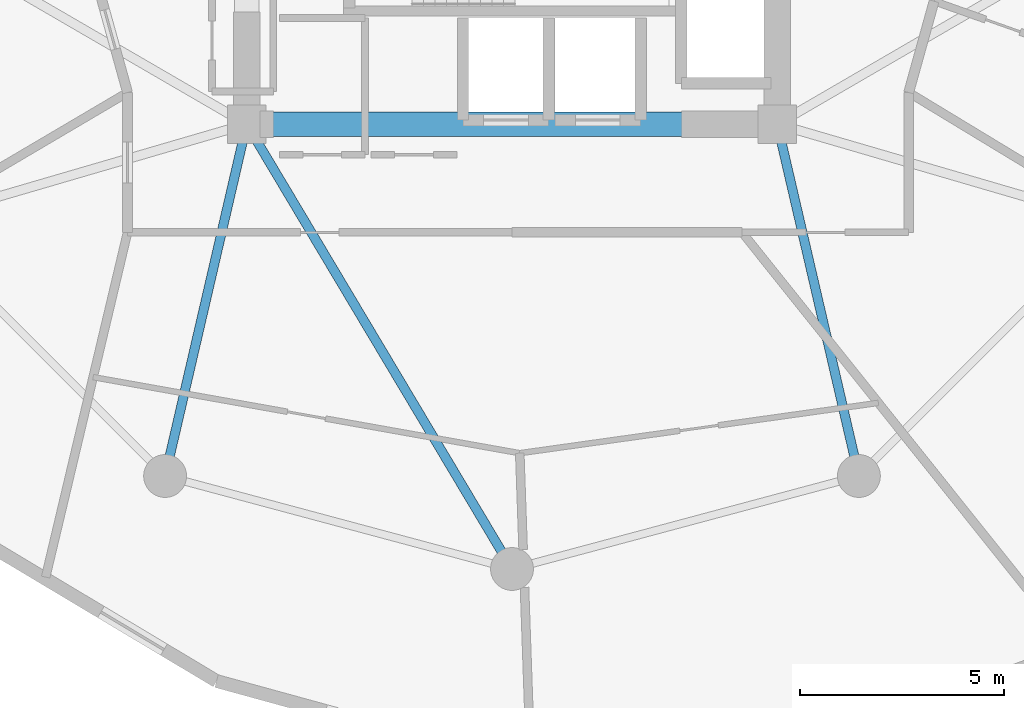
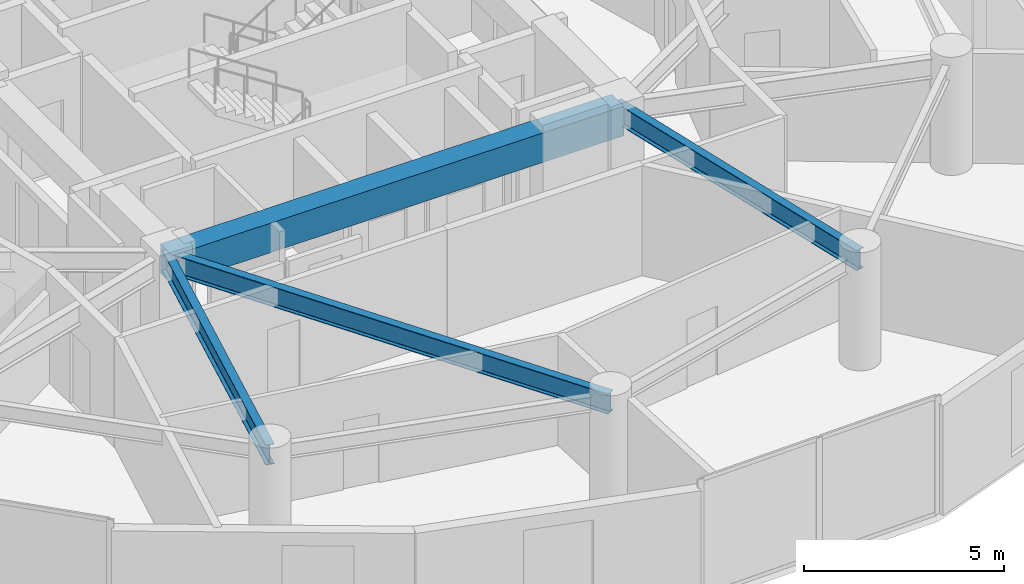
# One storey, part 5 of 25: 4 beams.
"""IFC4 building model written with IfcOpenShell, lengths in metres."""

import ifcopenshell
import ifcopenshell.guid

model = None  # the IFC model being written
_history = None  # IfcOwnerHistory: only IFC2X3 demands one
_inside = {}  # id of a spatial element -> (the spatial element, [elements in it])
_under = {}  # id of a project, library or spatial element -> (it, [spatial elements below it])
_declared = {}  # id of a project -> (the project, [libraries it declares])
_typed = {}  # id of a type object -> (the type object, [elements of that type])
_made_of = {}  # id of a material, layer set ... -> (it, [elements and type objects made of it])


def new_model(schema):
    """Start an empty IFC model of exactly this schema.

    Asked for "IFC4X3", IfcOpenShell would pick the latest addendum, in which some entities
    have other attributes; the version numbers below select the first issue.
    IFC2X3 requires an IfcOwnerHistory on every rooted entity: one is made here for all.
    """
    global model, _history
    if schema == "IFC4X3":
        model = ifcopenshell.file(schema_version=(4, 3, 0, 0))
    else:
        model = ifcopenshell.file(schema=schema)
    _inside.clear()
    _under.clear()
    _declared.clear()
    _typed.clear()
    _made_of.clear()
    _history = None
    if model.schema == "IFC2X3":
        org = make("IfcOrganization", Name="unknown")
        user = make(
            "IfcPersonAndOrganization",
            ThePerson=make("IfcPerson", FamilyName="unknown"),
            TheOrganization=org,
        )
        app = make(
            "IfcApplication",
            ApplicationDeveloper=org,
            Version="unknown",
            ApplicationFullName="unknown",
            ApplicationIdentifier="unknown",
        )
        _history = make(
            "IfcOwnerHistory",
            OwningUser=user,
            OwningApplication=app,
            ChangeAction="ADDED",
            CreationDate=0,
        )
    return model


def make(cls, **values):
    """One entity of the class cls with the attributes given. An attribute that is None is left unset."""
    return model.create_entity(
        cls, **{name: value for name, value in values.items() if value is not None}
    )


def rooted(cls, **values):
    """An entity with a GlobalId (a new one), such as an element, a storey or a relation."""
    return make(cls, GlobalId=ifcopenshell.guid.new(), OwnerHistory=_history, **values)


def si_unit(unit_type, name, prefix=None):
    """IfcSIUnit, for example si_unit("LENGTHUNIT", "METRE", prefix="MILLI")."""
    return make("IfcSIUnit", UnitType=unit_type, Prefix=prefix, Name=name)


def assignment(units):
    """IfcUnitAssignment: the units of a project."""
    return None if units is None else make("IfcUnitAssignment", Units=units)


def point(xyz):
    """IfcCartesianPoint."""
    return None if xyz is None else make("IfcCartesianPoint", Coordinates=xyz)


def direction(xyz):
    """IfcDirection."""
    return None if xyz is None else make("IfcDirection", DirectionRatios=xyz)


def frame(location, z_axis=None, x_axis=None):
    """IfcAxis2Placement3D, a coordinate frame: its origin and axes. An axis left out is left unset."""
    return make(
        "IfcAxis2Placement3D",
        Location=point(location),
        Axis=direction(z_axis),
        RefDirection=direction(x_axis),
    )


def frame_2d(location, x_axis=None):
    """IfcAxis2Placement2D, a coordinate frame in the plane: its origin and x axis."""
    return make(
        "IfcAxis2Placement2D", Location=point(location), RefDirection=direction(x_axis)
    )


def origin():
    """The frame at (0, 0, 0) with its axes left unset."""
    return frame((0.0, 0.0, 0.0))


def origin_2d():
    """The frame at (0, 0) in the plane with its x axis left unset."""
    return frame_2d((0.0, 0.0))


def place(relative_to, where):
    """IfcLocalPlacement: puts the frame where relative to a parent placement (None: the world)."""
    return make(
        "IfcLocalPlacement", PlacementRelTo=relative_to, RelativePlacement=where
    )


def context(
    kind, dimensions, precision=None, world=None, true_north=None, identifier=None
):
    """IfcGeometricRepresentationContext, for example the 3D "Model" context."""
    return make(
        "IfcGeometricRepresentationContext",
        ContextIdentifier=identifier,
        ContextType=kind,
        CoordinateSpaceDimension=dimensions,
        Precision=precision,
        WorldCoordinateSystem=world,
        TrueNorth=true_north,
    )


def subcontext(parent, identifier, kind, view, scale=None):
    """IfcGeometricRepresentationSubContext, for example "Body" below "Model"."""
    return make(
        "IfcGeometricRepresentationSubContext",
        ContextIdentifier=identifier,
        ContextType=kind,
        ParentContext=parent,
        TargetScale=scale,
        TargetView=view,
    )


def project(units=None, contexts=None):
    """IfcProject with its units and contexts."""
    return rooted(
        "IfcProject",
        Name="project",
        RepresentationContexts=contexts,
        UnitsInContext=assignment(units),
    )


def spatial(cls, under=None, at=None, **own):
    """A site, building, storey or space (cls), placed at a placement, below another one or the project."""
    s = rooted(cls, ObjectPlacement=at, **own)
    if under is not None:
        _under.setdefault(under.id(), (under, []))[1].append(s)
    return s


def profile(cls, at=None, kind="AREA", **sizes):
    """A parametric profile (cls). Its sizes go by their IFC names, for example OverallWidth=200.0."""
    return make(cls, ProfileType=kind, Position=at, **sizes)


def rectangle(**sizes):
    """IfcRectangleProfileDef."""
    return profile("IfcRectangleProfileDef", **sizes)


def i_section(**sizes):
    """IfcIShapeProfileDef."""
    return profile("IfcIShapeProfileDef", **sizes)


def extrude(swept, where, along, depth):
    """IfcExtrudedAreaSolid: the profile swept, set in the frame where, extruded along a direction by depth."""
    return make(
        "IfcExtrudedAreaSolid",
        SweptArea=swept,
        Position=where,
        ExtrudedDirection=direction(along),
        Depth=depth,
    )


def shape(context_of_items, identifier, shape_type, items):
    """IfcShapeRepresentation: the items that make up one representation, for example the "Body"."""
    return make(
        "IfcShapeRepresentation",
        ContextOfItems=context_of_items,
        RepresentationIdentifier=identifier,
        RepresentationType=shape_type,
        Items=items,
    )


def material(Name=None, Category=None):
    """IfcMaterial."""
    return make("IfcMaterial", Name=Name, Category=Category)


def material_profile(
    of_material, cross_section, Name=None, Category=None, Priority=None
):
    """IfcMaterialProfile: a cross section and its material."""
    return make(
        "IfcMaterialProfile",
        Name=Name,
        Material=of_material,
        Profile=cross_section,
        Priority=Priority,
        Category=Category,
    )


def profile_set(profiles, Name=None, composite=None):
    """IfcMaterialProfileSet."""
    return make(
        "IfcMaterialProfileSet",
        Name=Name,
        MaterialProfiles=profiles,
        CompositeProfile=composite,
    )


def made_of(thing, what):
    """Note that an element or type object is made of a material, layer set ...; save() writes the relation."""
    if what is not None:
        _made_of.setdefault(what.id(), (what, []))[1].append(thing)
    return thing


def type_object(cls, material=None, **own):
    """A type object (cls), such as IfcWallType, which elements share."""
    return made_of(rooted(cls, **own), material)


def element(
    cls,
    number,
    at=None,
    inside=None,
    cuts=None,
    type_object=None,
    material=None,
    context=None,
    identifier="Body",
    shape_type=None,
    held_by="IfcProductDefinitionShape",
    body=None,
    shapes=None,
    **own,
):
    """One element of the class cls, such as IfcWall. Its Tag is "e" and its number.

    at: its placement. inside: the storey or other place that contains it. cuts: it is an
    opening in that element (IfcRelVoidsElement). A single representation is given by context,
    identifier, shape_type and body (its items); several are given by shapes. held_by: the class
    of the entity that holds the representations. save() writes the other relations.
    """
    e = rooted(cls, Tag="e%d" % number, ObjectPlacement=at, **own)
    if body is not None:
        shapes = [shape(context, identifier, shape_type, body)]
    if shapes is not None:
        e.Representation = make(held_by, Representations=shapes)
    if inside is not None:
        _inside.setdefault(inside.id(), (inside, []))[1].append(e)
    if cuts is not None:
        rooted(
            "IfcRelVoidsElement", RelatingBuildingElement=cuts, RelatedOpeningElement=e
        )
    if type_object is not None:
        _typed.setdefault(type_object.id(), (type_object, []))[1].append(e)
    return made_of(e, material)


def aggregate(whole, parts):
    """IfcRelAggregates: a whole, such as a stair, and the parts it consists of."""
    return rooted("IfcRelAggregates", RelatingObject=whole, RelatedObjects=parts)


def save(model, path):
    """Write the relations noted so far, then the file.

    IfcRelAggregates (storeys below a building ...), IfcRelContainedInSpatialStructure (elements
    in a storey), IfcRelDefinesByType, IfcRelAssociatesMaterial and IfcRelDeclares: one each for
    every whole, place, type object, material and project.
    """
    for whole, parts in _under.values():
        aggregate(whole, parts)
    for where, things in _inside.values():
        rooted(
            "IfcRelContainedInSpatialStructure",
            RelatedElements=things,
            RelatingStructure=where,
        )
    for kind, things in _typed.values():
        rooted("IfcRelDefinesByType", RelatedObjects=things, RelatingType=kind)
    for what, things in _made_of.values():
        rooted("IfcRelAssociatesMaterial", RelatedObjects=things, RelatingMaterial=what)
    for by, libraries in _declared.values():
        rooted("IfcRelDeclares", RelatingContext=by, RelatedDefinitions=libraries)
    model.write(path)


model = new_model("IFC4")

# Units and contexts
model_context = context("Model", 3, precision=1e-05, world=origin(), true_north=direction((0.0, 1.0)))
body_context = subcontext(model_context, "Body", "Model", "MODEL_VIEW")
ifc_project = project(units=[si_unit("LENGTHUNIT", "METRE"), si_unit("AREAUNIT", "SQUARE_METRE"), si_unit("VOLUMEUNIT", "CUBIC_METRE"), si_unit("PLANEANGLEUNIT", "RADIAN"), si_unit("MASSUNIT", "GRAM", prefix="KILO")], contexts=[model_context])

# Site, building, storey
site_placement = place(None, origin())
site = spatial("IfcSite", under=ifc_project, at=site_placement, CompositionType="ELEMENT")
building_placement = place(site_placement, origin())
building = spatial("IfcBuilding", under=site, at=building_placement, Name="Solvirekh Grand Hotel", CompositionType="ELEMENT")
storey_placement = place(building_placement, frame((0.0, 0.0, 127.800048828125)))
storey = spatial("IfcBuildingStorey", under=building, at=storey_placement, Name="L32", CompositionType="ELEMENT", Elevation=127.800048828125)

# Beams
ifc_material_1 = material(Name="Concrete C50/60", Category="concrete")
ifc_material_profile_1 = material_profile(ifc_material_1, rectangle(XDim=0.60009765625, YDim=0.89990234375, at=origin_2d()), Name="RC BEAM 600X900")
ifc_profile_set_1 = profile_set([ifc_material_profile_1], Name="Concrete C50/60")
beam_type_1 = type_object("IfcBeamType", Name="Beam_Core_RC900", PredefinedType="BEAM", material=ifc_profile_set_1)
beam_1_placement = place(storey_placement, frame((-6.5, -6.10009765625, 2.89990234375), z_axis=(1.0, 0.0, 0.0), x_axis=(0.0, 1.0, 0.0)))
element("IfcBeam", 1, at=beam_1_placement, inside=storey, type_object=beam_type_1, Name="L32 core coupling ring beam 1", PredefinedType="BEAM", context=body_context, shape_type="SweptSolid", body=[
    extrude(rectangle(XDim=0.60009765625, YDim=0.89990234375, at=origin_2d()), origin(), (0.0, 0.0, 1.0), 13.0),
])
ifc_material_2 = material(Name="Steel S355", Category="steel")
ifc_material_profile_2 = material_profile(ifc_material_2, i_section(OverallWidth=0.22802734375, OverallDepth=0.616943359375, WebThickness=0.012939453125, FlangeThickness=0.02001953125, FilletRadius=0.014892578125, at=origin_2d()), Name="W610X140")
ifc_profile_set_2 = profile_set([ifc_material_profile_2], Name="Steel S355")
beam_type_2 = type_object("IfcBeamType", Name="Beam_Radial_W610", PredefinedType="BEAM", material=ifc_profile_set_2)
beam_2_placement = place(storey_placement, frame((-6.5, -6.10009765625, 3.041015625), z_axis=(-0.225969390542, -0.974134402707, 0.0), x_axis=(0.974134402707, -0.225969390542, 0.0)))
element("IfcBeam", 2, at=beam_2_placement, inside=storey, type_object=beam_type_2, Name="L32 radial floor beam R09", PredefinedType="BEAM", context=body_context, shape_type="SweptSolid", body=[
    extrude(i_section(OverallWidth=0.22802734375, OverallDepth=0.616943359375, WebThickness=0.012939453125, FlangeThickness=0.02001953125, FilletRadius=0.014892578125, at=origin_2d()), origin(), (0.0, 0.0, 1.0), 8.850830078125),
])
beam_3_placement = place(storey_placement, frame((-6.5, -6.10009765625, 3.041015625), z_axis=(0.512179721377, -0.858878299301, 0.0), x_axis=(0.858878299301, 0.512179721377, 0.0)))
element("IfcBeam", 3, at=beam_3_placement, inside=storey, type_object=beam_type_2, Name="L32 radial floor beam R10", PredefinedType="BEAM", context=body_context, shape_type="SweptSolid", body=[
    extrude(i_section(OverallWidth=0.22802734375, OverallDepth=0.616943359375, WebThickness=0.012939453125, FlangeThickness=0.02001953125, FilletRadius=0.014892578125, at=origin_2d()), origin(), (0.0, 0.0, 1.0), 12.69091796875),
])
beam_4_placement = place(storey_placement, frame((6.5, -6.10009765625, 3.041015625), z_axis=(0.225969390542, -0.974134402707, 0.0), x_axis=(0.974134402707, 0.225969390542, 0.0)))
element("IfcBeam", 4, at=beam_4_placement, inside=storey, type_object=beam_type_2, Name="L32 radial floor beam R11", PredefinedType="BEAM", context=body_context, shape_type="SweptSolid", body=[
    extrude(i_section(OverallWidth=0.22802734375, OverallDepth=0.616943359375, WebThickness=0.012939453125, FlangeThickness=0.02001953125, FilletRadius=0.014892578125, at=origin_2d()), origin(), (0.0, 0.0, 1.0), 8.850830078125),
])

save(model, "model.ifc")
